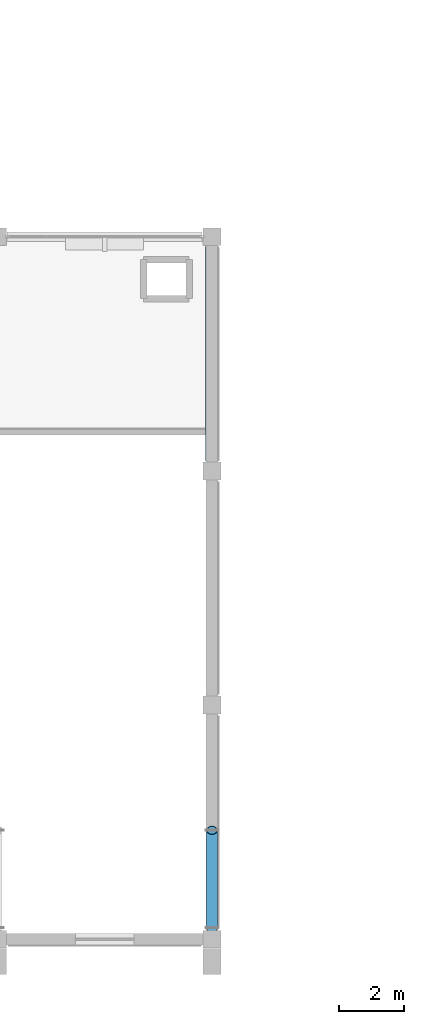
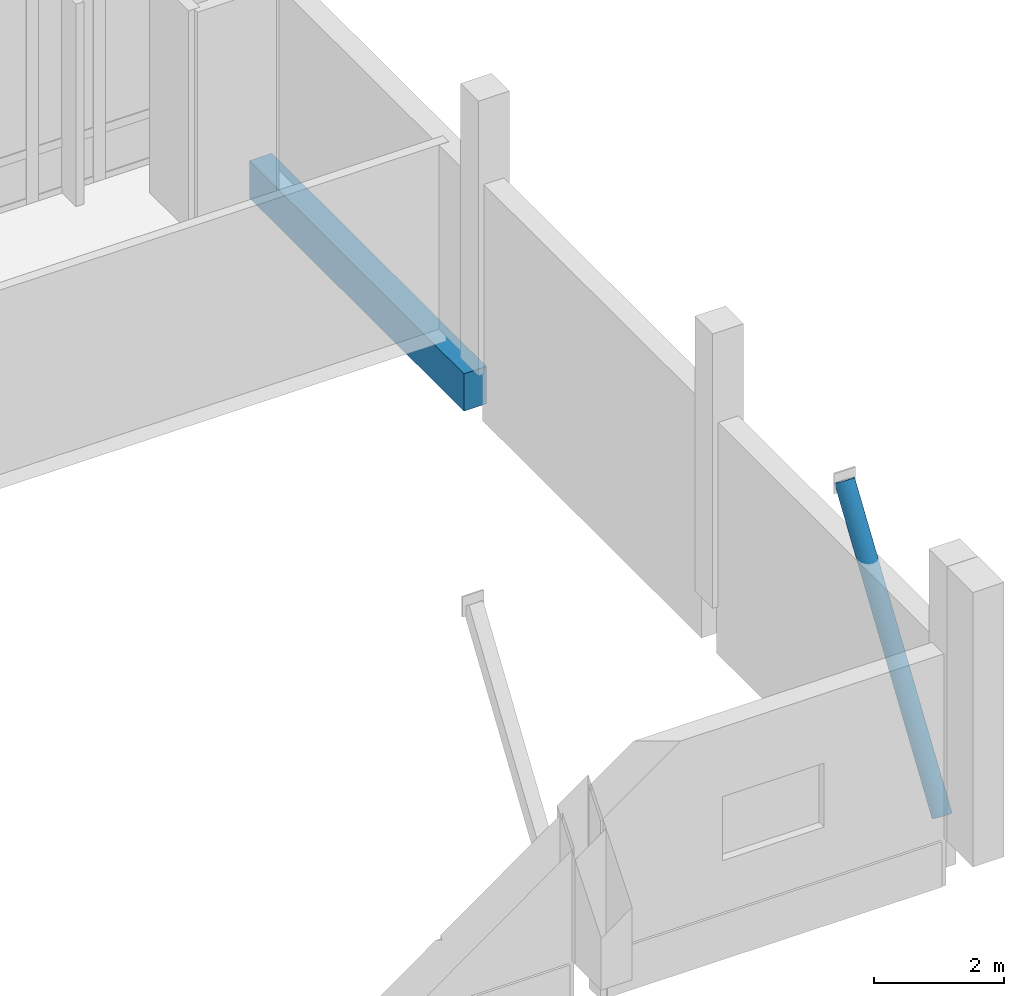
# One storey, part 80 of 134: 1 beam, 1 member.
"""IFC4 building model written with IfcOpenShell, lengths in metres."""

from ifc_helpers import new_model, si_unit, direction, frame, origin, origin_2d, place, context, subcontext, project, spatial, rectangle, hollow_circle, extrude, material, material_profile, profile_set, type_object, element, save


model = new_model("IFC4")

# Units and contexts
model_context = context("Model", 3, precision=1e-05, world=origin(), true_north=direction((0.0, 1.0)))
body_context = subcontext(model_context, "Body", "Model", "MODEL_VIEW")
ifc_project = project(units=[si_unit("LENGTHUNIT", "METRE"), si_unit("AREAUNIT", "SQUARE_METRE"), si_unit("VOLUMEUNIT", "CUBIC_METRE"), si_unit("PLANEANGLEUNIT", "RADIAN"), si_unit("MASSUNIT", "GRAM", prefix="KILO")], contexts=[model_context])

# Site, building, storey
site_placement = place(None, origin())
site = spatial("IfcSite", under=ifc_project, at=site_placement, CompositionType="ELEMENT")
building_placement = place(site_placement, origin())
building = spatial("IfcBuilding", under=site, at=building_placement, Name="Kalluvel Institute of Natural Sciences", CompositionType="ELEMENT")
storey_placement = place(building_placement, frame((0.0, 0.0, 5.39990234375)))
storey = spatial("IfcBuildingStorey", under=building, at=storey_placement, Name="L01", CompositionType="ELEMENT", Elevation=5.39990234375)

# Beam
ifc_material_1 = material(Name="Concrete M40", Category="concrete")
ifc_material_profile_1 = material_profile(ifc_material_1, rectangle(XDim=0.39990234375, YDim=0.699951171875, at=origin_2d()), Name="RCB 400x700")
ifc_profile_set_1 = profile_set([ifc_material_profile_1], Name="Concrete M40")
beam_type = type_object("IfcBeamType", Name="BM-RC400x700", PredefinedType="BEAM", material=ifc_profile_set_1)
beam_placement = place(storey_placement, frame((142.39990234375, 28.699951171875, -0.68994140625), z_axis=(0.0, 1.0, 0.0), x_axis=(-1.0, 0.0, 0.0)))
element("IfcBeam", 1, at=beam_placement, inside=storey, type_object=beam_type, Name="L01 girder GIR-L01-NS-X1424-Y284", PredefinedType="BEAM", context=body_context, shape_type="SweptSolid", body=[
    extrude(rectangle(XDim=0.39990234375, YDim=0.699951171875, at=origin_2d()), origin(), (0.0, 0.0, 1.0), 6.60009765625),
])

# Member
ifc_material_2 = material(Name="Steel E350 Grade 350", Category="steel")
ifc_material_profile_2 = material_profile(ifc_material_2, hollow_circle(Radius=0.161865234375, WallThickness=0.01611328125, at=origin_2d()), Name="CHS 323.9x16.0")
ifc_profile_set_2 = profile_set([ifc_material_profile_2], Name="Steel E350 Grade 350")
member_type = type_object("IfcMemberType", Name="MB-ST-CHS323", PredefinedType="STRUT", material=ifc_profile_set_2)
member_placement = place(storey_placement, frame((142.39990234375, 14.35009765625, 0.0), z_axis=(0.0, 0.556412730775, 0.830906055479), x_axis=(-1.0, 0.0, 0.0)))
element("IfcMember", 2, at=member_placement, inside=storey, type_object=member_type, Name="Lecture theatre folded-plate portal knee strut 5", PredefinedType="STRUT", context=body_context, shape_type="SweptSolid", body=[
    extrude(hollow_circle(Radius=0.161865234375, WallThickness=0.01611328125, at=origin_2d()), origin(), (0.0, 0.0, 1.0), 5.3916015625),
])

save(model, "model.ifc")
